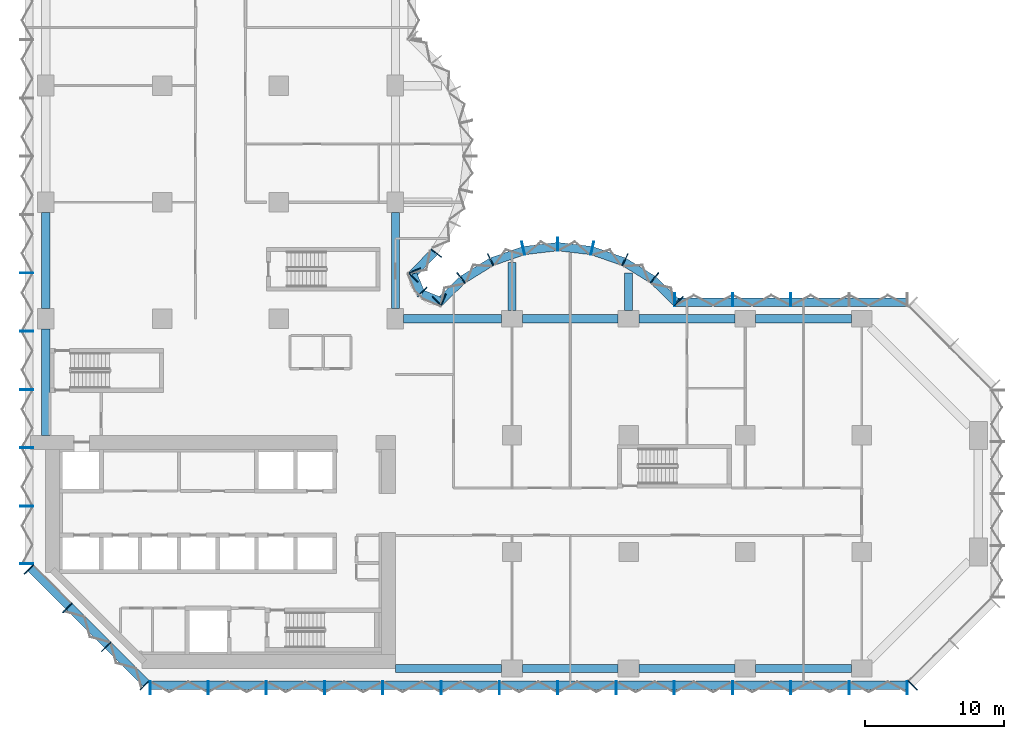
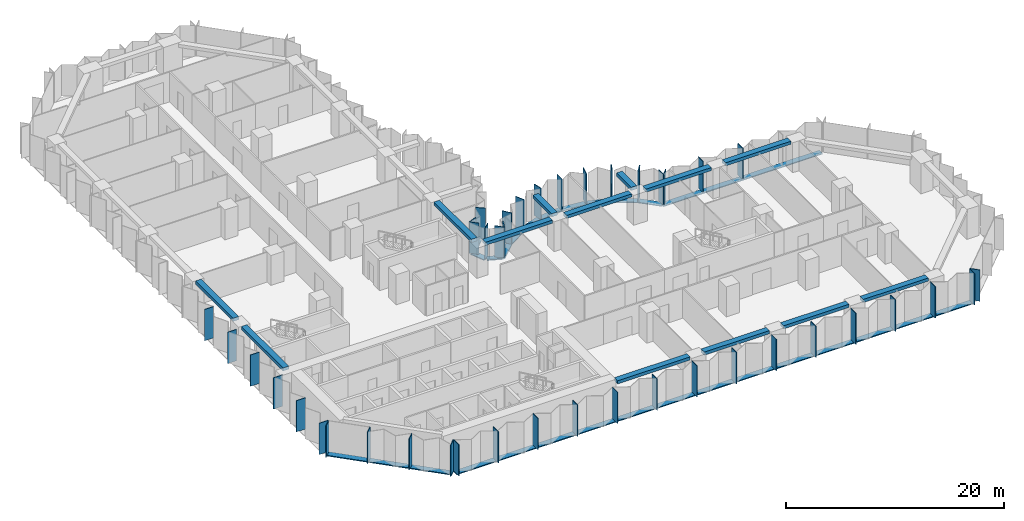
# One storey, part 2 of 15: 56 members, 13 beams, 8 elements without a shape of their own.
"""IFC4 building model written with IfcOpenShell, lengths in metres."""

from ifc_helpers import new_model, si_unit, direction, frame, origin, origin_2d, place, context, subcontext, project, spatial, rectangle, extrude, material, material_profile, profile_set, type_object, element, aggregate, save


model = new_model("IFC4")

# Units and contexts
model_context = context("Model", 3, precision=1e-05, world=origin(), true_north=direction((0.0, 1.0)))
body_context = subcontext(model_context, "Body", "Model", "MODEL_VIEW")
ifc_project = project(units=[si_unit("LENGTHUNIT", "METRE"), si_unit("AREAUNIT", "SQUARE_METRE"), si_unit("VOLUMEUNIT", "CUBIC_METRE"), si_unit("PLANEANGLEUNIT", "RADIAN"), si_unit("MASSUNIT", "GRAM", prefix="KILO")], contexts=[model_context])

# Site, building, storey
site_placement = place(None, origin())
site = spatial("IfcSite", under=ifc_project, at=site_placement, CompositionType="ELEMENT")
building_placement = place(site_placement, origin())
building = spatial("IfcBuilding", under=site, at=building_placement, Name="Brevane Broadcast Tower", CompositionType="ELEMENT")
storey_placement = place(building_placement, frame((0.0, 0.0, 76.10009765625)))
storey = spatial("IfcBuildingStorey", under=building, at=storey_placement, Name="L17", CompositionType="ELEMENT", Elevation=76.10009765625)

# Curtain wall, members
ifc_material_1 = material(Name="Aluminium 6063-T6 bronze anodised", Category="aluminium")
curtain_wall_type = type_object("IfcCurtainWallType", Name="CW-1 curtain wall", PredefinedType="NOTDEFINED", material=ifc_material_1)
curtain_wall_1_placement = place(storey_placement, origin())
curtain_wall_1 = element("IfcCurtainWall", 1, at=curtain_wall_1_placement, inside=storey, type_object=curtain_wall_type, Name="CW-1 typical tilted unit L17 south face", PredefinedType="NOTDEFINED")
ifc_material_profile_1 = material_profile(ifc_material_1, rectangle(XDim=0.949951171875, YDim=0.070068359375, at=origin_2d()), Name="RECT 70x950")
ifc_profile_set_1 = profile_set([ifc_material_profile_1], Name="Aluminium 6063-T6 bronze anodised")
member_type_1 = type_object("IfcMemberType", Name="CW-1 mullion 70x950", PredefinedType="MULLION", material=ifc_profile_set_1)
member_1_placement = place(storey_placement, frame((7.534912109375, -1.375, -0.150146484375), z_axis=(0.0, 0.0, 1.0), x_axis=(0.0, 1.0, 0.0)))
member_1 = element("IfcMember", 2, at=member_1_placement, type_object=member_type_1, Name="CW-1 mullion", PredefinedType="MULLION", context=body_context, shape_type="SweptSolid", body=[
    extrude(rectangle(XDim=0.949951171875, YDim=0.070068359375, at=origin_2d()), origin(), (0.0, 0.0, 1.0), 3.5),
])
member_2_placement = place(storey_placement, frame((11.699951171875, -1.375, -0.150146484375), z_axis=(0.0, 0.0, 1.0), x_axis=(0.0, 1.0, 0.0)))
member_2 = element("IfcMember", 3, at=member_2_placement, type_object=member_type_1, Name="CW-1 mullion", PredefinedType="MULLION", context=body_context, shape_type="SweptSolid", body=[
    extrude(rectangle(XDim=0.949951171875, YDim=0.070068359375, at=origin_2d()), origin(), (0.0, 0.0, 1.0), 3.5),
])
member_3_placement = place(storey_placement, frame((15.89990234375, -1.375, -0.150146484375), z_axis=(0.0, 0.0, 1.0), x_axis=(0.0, 1.0, 0.0)))
member_3 = element("IfcMember", 4, at=member_3_placement, type_object=member_type_1, Name="CW-1 mullion", PredefinedType="MULLION", context=body_context, shape_type="SweptSolid", body=[
    extrude(rectangle(XDim=0.949951171875, YDim=0.070068359375, at=origin_2d()), origin(), (0.0, 0.0, 1.0), 3.5),
])
member_4_placement = place(storey_placement, frame((20.10009765625, -1.375, -0.150146484375), z_axis=(0.0, 0.0, 1.0), x_axis=(0.0, 1.0, 0.0)))
member_4 = element("IfcMember", 5, at=member_4_placement, type_object=member_type_1, Name="CW-1 mullion", PredefinedType="MULLION", context=body_context, shape_type="SweptSolid", body=[
    extrude(rectangle(XDim=0.949951171875, YDim=0.070068359375, at=origin_2d()), origin(), (0.0, 0.0, 1.0), 3.5),
])
member_5_placement = place(storey_placement, frame((24.300048828125, -1.375, -0.150146484375), z_axis=(0.0, 0.0, 1.0), x_axis=(0.0, 1.0, 0.0)))
member_5 = element("IfcMember", 6, at=member_5_placement, type_object=member_type_1, Name="CW-1 mullion", PredefinedType="MULLION", context=body_context, shape_type="SweptSolid", body=[
    extrude(rectangle(XDim=0.949951171875, YDim=0.070068359375, at=origin_2d()), origin(), (0.0, 0.0, 1.0), 3.5),
])
member_6_placement = place(storey_placement, frame((28.5, -1.375, -0.150146484375), z_axis=(0.0, 0.0, 1.0), x_axis=(0.0, 1.0, 0.0)))
member_6 = element("IfcMember", 7, at=member_6_placement, type_object=member_type_1, Name="CW-1 mullion", PredefinedType="MULLION", context=body_context, shape_type="SweptSolid", body=[
    extrude(rectangle(XDim=0.949951171875, YDim=0.070068359375, at=origin_2d()), origin(), (0.0, 0.0, 1.0), 3.5),
])
member_7_placement = place(storey_placement, frame((32.699951171875, -1.375, -0.150146484375), z_axis=(0.0, 0.0, 1.0), x_axis=(0.0, 1.0, 0.0)))
member_7 = element("IfcMember", 8, at=member_7_placement, type_object=member_type_1, Name="CW-1 mullion", PredefinedType="MULLION", context=body_context, shape_type="SweptSolid", body=[
    extrude(rectangle(XDim=0.949951171875, YDim=0.070068359375, at=origin_2d()), origin(), (0.0, 0.0, 1.0), 3.5),
])
member_8_placement = place(storey_placement, frame((36.89990234375, -1.375, -0.150146484375), z_axis=(0.0, 0.0, 1.0), x_axis=(0.0, 1.0, 0.0)))
member_8 = element("IfcMember", 9, at=member_8_placement, type_object=member_type_1, Name="CW-1 mullion", PredefinedType="MULLION", context=body_context, shape_type="SweptSolid", body=[
    extrude(rectangle(XDim=0.949951171875, YDim=0.070068359375, at=origin_2d()), origin(), (0.0, 0.0, 1.0), 3.5),
])
member_9_placement = place(storey_placement, frame((41.10009765625, -1.375, -0.150146484375), z_axis=(0.0, 0.0, 1.0), x_axis=(0.0, 1.0, 0.0)))
member_9 = element("IfcMember", 10, at=member_9_placement, type_object=member_type_1, Name="CW-1 mullion", PredefinedType="MULLION", context=body_context, shape_type="SweptSolid", body=[
    extrude(rectangle(XDim=0.949951171875, YDim=0.070068359375, at=origin_2d()), origin(), (0.0, 0.0, 1.0), 3.5),
])
member_10_placement = place(storey_placement, frame((45.300048828125, -1.375, -0.150146484375), z_axis=(0.0, 0.0, 1.0), x_axis=(0.0, 1.0, 0.0)))
member_10 = element("IfcMember", 11, at=member_10_placement, type_object=member_type_1, Name="CW-1 mullion", PredefinedType="MULLION", context=body_context, shape_type="SweptSolid", body=[
    extrude(rectangle(XDim=0.949951171875, YDim=0.070068359375, at=origin_2d()), origin(), (0.0, 0.0, 1.0), 3.5),
])
member_11_placement = place(storey_placement, frame((49.5, -1.375, -0.150146484375), z_axis=(0.0, 0.0, 1.0), x_axis=(0.0, 1.0, 0.0)))
member_11 = element("IfcMember", 12, at=member_11_placement, type_object=member_type_1, Name="CW-1 mullion", PredefinedType="MULLION", context=body_context, shape_type="SweptSolid", body=[
    extrude(rectangle(XDim=0.949951171875, YDim=0.070068359375, at=origin_2d()), origin(), (0.0, 0.0, 1.0), 3.5),
])
member_12_placement = place(storey_placement, frame((53.699951171875, -1.375, -0.150146484375), z_axis=(0.0, 0.0, 1.0), x_axis=(0.0, 1.0, 0.0)))
member_12 = element("IfcMember", 13, at=member_12_placement, type_object=member_type_1, Name="CW-1 mullion", PredefinedType="MULLION", context=body_context, shape_type="SweptSolid", body=[
    extrude(rectangle(XDim=0.949951171875, YDim=0.070068359375, at=origin_2d()), origin(), (0.0, 0.0, 1.0), 3.5),
])
member_13_placement = place(storey_placement, frame((57.89990234375, -1.375, -0.150146484375), z_axis=(0.0, 0.0, 1.0), x_axis=(0.0, 1.0, 0.0)))
member_13 = element("IfcMember", 14, at=member_13_placement, type_object=member_type_1, Name="CW-1 mullion", PredefinedType="MULLION", context=body_context, shape_type="SweptSolid", body=[
    extrude(rectangle(XDim=0.949951171875, YDim=0.070068359375, at=origin_2d()), origin(), (0.0, 0.0, 1.0), 3.5),
])
member_14_placement = place(storey_placement, frame((62.06494140625, -1.375, -0.150146484375), z_axis=(0.0, 0.0, 1.0), x_axis=(0.0, 1.0, 0.0)))
member_14 = element("IfcMember", 15, at=member_14_placement, type_object=member_type_1, Name="CW-1 mullion", PredefinedType="MULLION", context=body_context, shape_type="SweptSolid", body=[
    extrude(rectangle(XDim=0.949951171875, YDim=0.070068359375, at=origin_2d()), origin(), (0.0, 0.0, 1.0), 3.5),
])

# Curtain wall, member
curtain_wall_2_placement = place(storey_placement, origin())
curtain_wall_2 = element("IfcCurtainWall", 16, at=curtain_wall_2_placement, inside=storey, type_object=curtain_wall_type, Name="CW-1 typical tilted unit L17 south-east chamfer", PredefinedType="NOTDEFINED")
member_15_placement = place(storey_placement, frame((62.460693359375, -1.211181640625, -0.150146484375), z_axis=(0.0, 0.0, 1.0), x_axis=(-0.707106781187, 0.707106781187, 0.0)))
member_15 = element("IfcMember", 17, at=member_15_placement, type_object=member_type_1, Name="CW-1 mullion", PredefinedType="MULLION", context=body_context, shape_type="SweptSolid", body=[
    extrude(rectangle(XDim=0.949951171875, YDim=0.070068359375, at=origin_2d()), origin(), (0.0, 0.0, 1.0), 3.5),
])
aggregate(curtain_wall_2, [member_15])

# Curtain wall, members
curtain_wall_3_placement = place(storey_placement, origin())
curtain_wall_3 = element("IfcCurtainWall", 18, at=curtain_wall_3_placement, inside=storey, type_object=curtain_wall_type, Name="CW-1 typical tilted unit L17 east arm north face", PredefinedType="NOTDEFINED")
member_16_placement = place(storey_placement, frame((53.699951171875, 26.574951171875, -0.150146484375), z_axis=(0.0, 0.0, 1.0), x_axis=(0.0, -1.0, 0.0)))
member_16 = element("IfcMember", 19, at=member_16_placement, type_object=member_type_1, Name="CW-1 mullion", PredefinedType="MULLION", context=body_context, shape_type="SweptSolid", body=[
    extrude(rectangle(XDim=0.949951171875, YDim=0.070068359375, at=origin_2d()), origin(), (0.0, 0.0, 1.0), 3.5),
])
member_17_placement = place(storey_placement, frame((49.5, 26.574951171875, -0.150146484375), z_axis=(0.0, 0.0, 1.0), x_axis=(0.0, -1.0, 0.0)))
member_17 = element("IfcMember", 20, at=member_17_placement, type_object=member_type_1, Name="CW-1 mullion", PredefinedType="MULLION", context=body_context, shape_type="SweptSolid", body=[
    extrude(rectangle(XDim=0.949951171875, YDim=0.070068359375, at=origin_2d()), origin(), (0.0, 0.0, 1.0), 3.5),
])
member_18_placement = place(storey_placement, frame((45.3349609375, 26.574951171875, -0.150146484375), z_axis=(0.0, 0.0, 1.0), x_axis=(0.0, -1.0, 0.0)))
member_18 = element("IfcMember", 21, at=member_18_placement, type_object=member_type_1, Name="CW-1 mullion", PredefinedType="MULLION", context=body_context, shape_type="SweptSolid", body=[
    extrude(rectangle(XDim=0.949951171875, YDim=0.070068359375, at=origin_2d()), origin(), (0.0, 0.0, 1.0), 3.5),
])

curtain_wall_4_placement = place(storey_placement, origin())
curtain_wall_4 = element("IfcCurtainWall", 22, at=curtain_wall_4_placement, inside=storey, type_object=curtain_wall_type, Name="CW-1 typical tilted unit L17 east bow", PredefinedType="NOTDEFINED")
member_19_placement = place(storey_placement, frame((45.60595703125, 26.465087890625, -0.150146484375), z_axis=(0.0, 0.0, 1.0), x_axis=(-0.696811941702, -0.717253872699, 0.0)))
member_19 = element("IfcMember", 23, at=member_19_placement, type_object=member_type_1, Name="CW-1 mullion", PredefinedType="MULLION", context=body_context, shape_type="SweptSolid", body=[
    extrude(rectangle(XDim=0.949951171875, YDim=0.070068359375, at=origin_2d()), origin(), (0.0, 0.0, 1.0), 3.5),
])
member_20_placement = place(storey_placement, frame((43.8720703125, 28.1455078125, -0.150146484375), z_axis=(0.0, 0.0, 1.0), x_axis=(-0.614769738617, -0.788706642853, 0.0)))
member_20 = element("IfcMember", 24, at=member_20_placement, type_object=member_type_1, Name="CW-1 mullion", PredefinedType="MULLION", context=body_context, shape_type="SweptSolid", body=[
    extrude(rectangle(XDim=0.949951171875, YDim=0.070068359375, at=origin_2d()), origin(), (0.0, 0.0, 1.0), 3.5),
])
member_21_placement = place(storey_placement, frame((41.746826171875, 29.4580078125, -0.150146484375), z_axis=(0.0, 0.0, 1.0), x_axis=(-0.429933601163, -0.902860508933, 0.0)))
member_21 = element("IfcMember", 25, at=member_21_placement, type_object=member_type_1, Name="CW-1 mullion", PredefinedType="MULLION", context=body_context, shape_type="SweptSolid", body=[
    extrude(rectangle(XDim=0.949951171875, YDim=0.070068359375, at=origin_2d()), origin(), (0.0, 0.0, 1.0), 3.5),
])
member_22_placement = place(storey_placement, frame((39.38818359375, 30.28076171875, -0.150146484375), z_axis=(0.0, 0.0, 1.0), x_axis=(-0.224806482215, -0.974403430594, 0.0)))
member_22 = element("IfcMember", 26, at=member_22_placement, type_object=member_type_1, Name="CW-1 mullion", PredefinedType="MULLION", context=body_context, shape_type="SweptSolid", body=[
    extrude(rectangle(XDim=0.949951171875, YDim=0.070068359375, at=origin_2d()), origin(), (0.0, 0.0, 1.0), 3.5),
])
member_23_placement = place(storey_placement, frame((36.89990234375, 30.574951171875, -0.150146484375), z_axis=(0.0, 0.0, 1.0), x_axis=(0.0, -1.0, 0.0)))
member_23 = element("IfcMember", 27, at=member_23_placement, type_object=member_type_1, Name="CW-1 mullion", PredefinedType="MULLION", context=body_context, shape_type="SweptSolid", body=[
    extrude(rectangle(XDim=0.949951171875, YDim=0.070068359375, at=origin_2d()), origin(), (0.0, 0.0, 1.0), 3.5),
])
member_24_placement = place(storey_placement, frame((34.411865234375, 30.28076171875, -0.150146484375), z_axis=(0.0, 0.0, 1.0), x_axis=(0.224806482215, -0.974403430594, 0.0)))
member_24 = element("IfcMember", 28, at=member_24_placement, type_object=member_type_1, Name="CW-1 mullion", PredefinedType="MULLION", context=body_context, shape_type="SweptSolid", body=[
    extrude(rectangle(XDim=0.949951171875, YDim=0.070068359375, at=origin_2d()), origin(), (0.0, 0.0, 1.0), 3.5),
])
member_25_placement = place(storey_placement, frame((32.05322265625, 29.4580078125, -0.150146484375), z_axis=(0.0, 0.0, 1.0), x_axis=(0.429933601163, -0.902860508933, 0.0)))
member_25 = element("IfcMember", 29, at=member_25_placement, type_object=member_type_1, Name="CW-1 mullion", PredefinedType="MULLION", context=body_context, shape_type="SweptSolid", body=[
    extrude(rectangle(XDim=0.949951171875, YDim=0.070068359375, at=origin_2d()), origin(), (0.0, 0.0, 1.0), 3.5),
])
member_26_placement = place(storey_placement, frame((29.927978515625, 28.1455078125, -0.150146484375), z_axis=(0.0, 0.0, 1.0), x_axis=(0.614769738617, -0.788706642853, 0.0)))
member_26 = element("IfcMember", 30, at=member_26_placement, type_object=member_type_1, Name="CW-1 mullion", PredefinedType="MULLION", context=body_context, shape_type="SweptSolid", body=[
    extrude(rectangle(XDim=0.949951171875, YDim=0.070068359375, at=origin_2d()), origin(), (0.0, 0.0, 1.0), 3.5),
])
member_27_placement = place(storey_placement, frame((28.194091796875, 26.465087890625, -0.150146484375), z_axis=(0.0, 0.0, 1.0), x_axis=(0.696811941702, -0.717253872699, 0.0)))
member_27 = element("IfcMember", 31, at=member_27_placement, type_object=member_type_1, Name="CW-1 mullion", PredefinedType="MULLION", context=body_context, shape_type="SweptSolid", body=[
    extrude(rectangle(XDim=0.949951171875, YDim=0.070068359375, at=origin_2d()), origin(), (0.0, 0.0, 1.0), 3.5),
])

curtain_wall_5_placement = place(storey_placement, origin())
curtain_wall_5 = element("IfcCurtainWall", 32, at=curtain_wall_5_placement, inside=storey, type_object=curtain_wall_type, Name="CW-1 typical tilted unit L17 inner corner", PredefinedType="NOTDEFINED")
member_28_placement = place(storey_placement, frame((28.6494140625, 26.55224609375, -0.150146484375), z_axis=(0.0, 0.0, 1.0), x_axis=(-0.382683612978, -0.923879457699, 0.0)))
member_28 = element("IfcMember", 33, at=member_28_placement, type_object=member_type_1, Name="CW-1 mullion", PredefinedType="MULLION", context=body_context, shape_type="SweptSolid", body=[
    extrude(rectangle(XDim=0.949951171875, YDim=0.070068359375, at=origin_2d()), origin(), (0.0, 0.0, 1.0), 3.5),
])
member_29_placement = place(storey_placement, frame((27.138916015625, 27.138916015625, -0.150146484375), z_axis=(0.0, 0.0, 1.0), x_axis=(-0.707106781187, -0.707106781187, 0.0)))
member_29 = element("IfcMember", 34, at=member_29_placement, type_object=member_type_1, Name="CW-1 mullion", PredefinedType="MULLION", context=body_context, shape_type="SweptSolid", body=[
    extrude(rectangle(XDim=0.949951171875, YDim=0.070068359375, at=origin_2d()), origin(), (0.0, 0.0, 1.0), 3.5),
])
member_30_placement = place(storey_placement, frame((26.55224609375, 28.6494140625, -0.150146484375), z_axis=(0.0, 0.0, 1.0), x_axis=(-0.923879457699, -0.382683612978, 0.0)))
member_30 = element("IfcMember", 35, at=member_30_placement, type_object=member_type_1, Name="CW-1 mullion", PredefinedType="MULLION", context=body_context, shape_type="SweptSolid", body=[
    extrude(rectangle(XDim=0.949951171875, YDim=0.070068359375, at=origin_2d()), origin(), (0.0, 0.0, 1.0), 3.5),
])

curtain_wall_6_placement = place(storey_placement, origin())
curtain_wall_6 = element("IfcCurtainWall", 36, at=curtain_wall_6_placement, inside=storey, type_object=curtain_wall_type, Name="CW-1 typical tilted unit L17 north bow", PredefinedType="NOTDEFINED")
member_31_placement = place(storey_placement, frame((26.465087890625, 28.194091796875, -0.150146484375), z_axis=(0.0, 0.0, 1.0), x_axis=(-0.717253872699, 0.696811941702, 0.0)))
member_31 = element("IfcMember", 37, at=member_31_placement, type_object=member_type_1, Name="CW-1 mullion", PredefinedType="MULLION", context=body_context, shape_type="SweptSolid", body=[
    extrude(rectangle(XDim=0.949951171875, YDim=0.070068359375, at=origin_2d()), origin(), (0.0, 0.0, 1.0), 3.5),
])
member_32_placement = place(storey_placement, frame((28.1455078125, 29.927978515625, -0.150146484375), z_axis=(0.0, 0.0, 1.0), x_axis=(-0.788706642853, 0.614769738617, 0.0)))
member_32 = element("IfcMember", 38, at=member_32_placement, type_object=member_type_1, Name="CW-1 mullion", PredefinedType="MULLION", context=body_context, shape_type="SweptSolid", body=[
    extrude(rectangle(XDim=0.949951171875, YDim=0.070068359375, at=origin_2d()), origin(), (0.0, 0.0, 1.0), 3.5),
])

curtain_wall_7_placement = place(storey_placement, origin())
curtain_wall_7 = element("IfcCurtainWall", 39, at=curtain_wall_7_placement, inside=storey, type_object=curtain_wall_type, Name="CW-1 typical tilted unit L17 west face", PredefinedType="NOTDEFINED")
member_33_placement = place(storey_placement, frame((-1.375, 28.5, -0.150146484375), z_axis=(0.0, 0.0, 1.0), x_axis=(1.0, 0.0, 0.0)))
member_33 = element("IfcMember", 40, at=member_33_placement, type_object=member_type_1, Name="CW-1 mullion", PredefinedType="MULLION", context=body_context, shape_type="SweptSolid", body=[
    extrude(rectangle(XDim=0.949951171875, YDim=0.070068359375, at=origin_2d()), origin(), (0.0, 0.0, 1.0), 3.5),
])
member_34_placement = place(storey_placement, frame((-1.375, 24.300048828125, -0.150146484375), z_axis=(0.0, 0.0, 1.0), x_axis=(1.0, 0.0, 0.0)))
member_34 = element("IfcMember", 41, at=member_34_placement, type_object=member_type_1, Name="CW-1 mullion", PredefinedType="MULLION", context=body_context, shape_type="SweptSolid", body=[
    extrude(rectangle(XDim=0.949951171875, YDim=0.070068359375, at=origin_2d()), origin(), (0.0, 0.0, 1.0), 3.5),
])
member_35_placement = place(storey_placement, frame((-1.375, 20.10009765625, -0.150146484375), z_axis=(0.0, 0.0, 1.0), x_axis=(1.0, 0.0, 0.0)))
member_35 = element("IfcMember", 42, at=member_35_placement, type_object=member_type_1, Name="CW-1 mullion", PredefinedType="MULLION", context=body_context, shape_type="SweptSolid", body=[
    extrude(rectangle(XDim=0.949951171875, YDim=0.070068359375, at=origin_2d()), origin(), (0.0, 0.0, 1.0), 3.5),
])
member_36_placement = place(storey_placement, frame((-1.375, 15.89990234375, -0.150146484375), z_axis=(0.0, 0.0, 1.0), x_axis=(1.0, 0.0, 0.0)))
member_36 = element("IfcMember", 43, at=member_36_placement, type_object=member_type_1, Name="CW-1 mullion", PredefinedType="MULLION", context=body_context, shape_type="SweptSolid", body=[
    extrude(rectangle(XDim=0.949951171875, YDim=0.070068359375, at=origin_2d()), origin(), (0.0, 0.0, 1.0), 3.5),
])
member_37_placement = place(storey_placement, frame((-1.375, 11.699951171875, -0.150146484375), z_axis=(0.0, 0.0, 1.0), x_axis=(1.0, 0.0, 0.0)))
member_37 = element("IfcMember", 44, at=member_37_placement, type_object=member_type_1, Name="CW-1 mullion", PredefinedType="MULLION", context=body_context, shape_type="SweptSolid", body=[
    extrude(rectangle(XDim=0.949951171875, YDim=0.070068359375, at=origin_2d()), origin(), (0.0, 0.0, 1.0), 3.5),
])
member_38_placement = place(storey_placement, frame((-1.375, 7.534912109375, -0.150146484375), z_axis=(0.0, 0.0, 1.0), x_axis=(1.0, 0.0, 0.0)))
member_38 = element("IfcMember", 45, at=member_38_placement, type_object=member_type_1, Name="CW-1 mullion", PredefinedType="MULLION", context=body_context, shape_type="SweptSolid", body=[
    extrude(rectangle(XDim=0.949951171875, YDim=0.070068359375, at=origin_2d()), origin(), (0.0, 0.0, 1.0), 3.5),
])
aggregate(curtain_wall_7, [member_33, member_34, member_35, member_36, member_37, member_38])

curtain_wall_8_placement = place(storey_placement, origin())
curtain_wall_8 = element("IfcCurtainWall", 46, at=curtain_wall_8_placement, inside=storey, type_object=curtain_wall_type, Name="CW-1 typical tilted unit L17 south-west chamfer", PredefinedType="NOTDEFINED")
member_39_placement = place(storey_placement, frame((-1.211181640625, 7.139404296875, -0.150146484375), z_axis=(0.0, 0.0, 1.0), x_axis=(0.707106781187, 0.707106781187, 0.0)))
member_39 = element("IfcMember", 47, at=member_39_placement, type_object=member_type_1, Name="CW-1 mullion", PredefinedType="MULLION", context=body_context, shape_type="SweptSolid", body=[
    extrude(rectangle(XDim=0.949951171875, YDim=0.070068359375, at=origin_2d()), origin(), (0.0, 0.0, 1.0), 3.5),
])
member_40_placement = place(storey_placement, frame((1.564208984375, 4.364013671875, -0.150146484375), z_axis=(0.0, 0.0, 1.0), x_axis=(0.707106781187, 0.707106781187, 0.0)))
member_40 = element("IfcMember", 48, at=member_40_placement, type_object=member_type_1, Name="CW-1 mullion", PredefinedType="MULLION", context=body_context, shape_type="SweptSolid", body=[
    extrude(rectangle(XDim=0.949951171875, YDim=0.070068359375, at=origin_2d()), origin(), (0.0, 0.0, 1.0), 3.5),
])
member_41_placement = place(storey_placement, frame((4.364013671875, 1.564208984375, -0.150146484375), z_axis=(0.0, 0.0, 1.0), x_axis=(0.707106781187, 0.707106781187, 0.0)))
member_41 = element("IfcMember", 49, at=member_41_placement, type_object=member_type_1, Name="CW-1 mullion", PredefinedType="MULLION", context=body_context, shape_type="SweptSolid", body=[
    extrude(rectangle(XDim=0.949951171875, YDim=0.070068359375, at=origin_2d()), origin(), (0.0, 0.0, 1.0), 3.5),
])
member_42_placement = place(storey_placement, frame((7.139404296875, -1.211181640625, -0.150146484375), z_axis=(0.0, 0.0, 1.0), x_axis=(0.707106781187, 0.707106781187, 0.0)))
member_42 = element("IfcMember", 50, at=member_42_placement, type_object=member_type_1, Name="CW-1 mullion", PredefinedType="MULLION", context=body_context, shape_type="SweptSolid", body=[
    extrude(rectangle(XDim=0.949951171875, YDim=0.070068359375, at=origin_2d()), origin(), (0.0, 0.0, 1.0), 3.5),
])

# Member
ifc_material_profile_2 = material_profile(ifc_material_1, rectangle(XDim=0.60009765625, YDim=0.10009765625, at=origin_2d()), Name="RECT 100x600")
ifc_profile_set_2 = profile_set([ifc_material_profile_2], Name="Aluminium 6063-T6 bronze anodised")
member_type_2 = type_object("IfcMemberType", Name="CW-1 transom 100x600", PredefinedType="USERDEFINED", material=ifc_profile_set_2)
member_43_placement = place(storey_placement, frame((7.5, -1.199951171875, -0.2001953125), z_axis=(1.0, 0.0, 0.0), x_axis=(0.0, 1.0, 0.0)))
member_43 = element("IfcMember", 51, at=member_43_placement, type_object=member_type_2, Name="CW-1 transom", ObjectType="TRANSOM", PredefinedType="USERDEFINED", context=body_context, shape_type="SweptSolid", body=[
    extrude(rectangle(XDim=0.60009765625, YDim=0.10009765625, at=origin_2d()), origin(), (0.0, 0.0, 1.0), 54.60009765625),
])

aggregate(curtain_wall_1, [member_1, member_2, member_3, member_4, member_5, member_6, member_7, member_8, member_9, member_10, member_11, member_12, member_13, member_14, member_43])

member_44_placement = place(storey_placement, frame((62.10009765625, 26.39990234375, -0.2001953125), z_axis=(-1.0, 0.0, 0.0), x_axis=(0.0, -1.0, 0.0)))
member_44 = element("IfcMember", 52, at=member_44_placement, type_object=member_type_2, Name="CW-1 transom", ObjectType="TRANSOM", PredefinedType="USERDEFINED", context=body_context, shape_type="SweptSolid", body=[
    extrude(rectangle(XDim=0.60009765625, YDim=0.10009765625, at=origin_2d()), origin(), (0.0, 0.0, 1.0), 16.800048828125),
])

aggregate(curtain_wall_3, [member_16, member_17, member_18, member_44])

member_45_placement = place(storey_placement, frame((45.412841796875, 26.407958984375, -0.2001953125), z_axis=(-0.71724215871, 0.696823999134, 0.0), x_axis=(-0.696823999134, -0.71724215871, 0.0)))
member_45 = element("IfcMember", 53, at=member_45_placement, type_object=member_type_2, Name="CW-1 transom", ObjectType="TRANSOM", PredefinedType="USERDEFINED", context=body_context, shape_type="SweptSolid", body=[
    extrude(rectangle(XDim=0.60009765625, YDim=0.10009765625, at=origin_2d()), origin(), (0.0, 0.0, 1.0), 2.247802734375),
])

member_46_placement = place(storey_placement, frame((43.7421875, 28.023193359375, -0.2001953125), z_axis=(-0.850810063131, 0.525473345162, 0.0), x_axis=(-0.525473345162, -0.850810063131, 0.0)))
member_46 = element("IfcMember", 54, at=member_46_placement, type_object=member_type_2, Name="CW-1 transom", ObjectType="TRANSOM", PredefinedType="USERDEFINED", context=body_context, shape_type="SweptSolid", body=[
    extrude(rectangle(XDim=0.60009765625, YDim=0.10009765625, at=origin_2d()), origin(), (0.0, 0.0, 1.0), 2.39453125),
])

member_47_placement = place(storey_placement, frame((41.63623046875, 29.314208984375, -0.2001953125), z_axis=(-0.944197969542, 0.329378497041, 0.0), x_axis=(-0.329378497041, -0.944197969542, 0.0)))
member_47 = element("IfcMember", 55, at=member_47_placement, type_object=member_type_2, Name="CW-1 transom", ObjectType="TRANSOM", PredefinedType="USERDEFINED", context=body_context, shape_type="SweptSolid", body=[
    extrude(rectangle(XDim=0.60009765625, YDim=0.10009765625, at=origin_2d()), origin(), (0.0, 0.0, 1.0), 2.394775390625),
])

member_48_placement = place(storey_placement, frame((39.30029296875, 30.117431640625, -0.2001953125), z_axis=(-0.993062061831, 0.117591417, 0.0), x_axis=(-0.117591417, -0.993062061831, 0.0)))
member_48 = element("IfcMember", 56, at=member_48_placement, type_object=member_type_2, Name="CW-1 transom", ObjectType="TRANSOM", PredefinedType="USERDEFINED", context=body_context, shape_type="SweptSolid", body=[
    extrude(rectangle(XDim=0.60009765625, YDim=0.10009765625, at=origin_2d()), origin(), (0.0, 0.0, 1.0), 2.39794921875),
])

member_49_placement = place(storey_placement, frame((36.880859375, 30.3994140625, -0.2001953125), z_axis=(-0.993060653805, -0.117603307202, 0.0), x_axis=(0.117603307202, -0.993060653805, 0.0)))
member_49 = element("IfcMember", 57, at=member_49_placement, type_object=member_type_2, Name="CW-1 transom", ObjectType="TRANSOM", PredefinedType="USERDEFINED", context=body_context, shape_type="SweptSolid", body=[
    extrude(rectangle(XDim=0.60009765625, YDim=0.10009765625, at=origin_2d()), origin(), (0.0, 0.0, 1.0), 2.397705078125),
])

member_50_placement = place(storey_placement, frame((34.425048828125, 30.10302734375, -0.2001953125), z_axis=(-0.944197969542, -0.329378497041, 0.0), x_axis=(0.329378497041, -0.944197969542, 0.0)))
member_50 = element("IfcMember", 58, at=member_50_placement, type_object=member_type_2, Name="CW-1 transom", ObjectType="TRANSOM", PredefinedType="USERDEFINED", context=body_context, shape_type="SweptSolid", body=[
    extrude(rectangle(XDim=0.60009765625, YDim=0.10009765625, at=origin_2d()), origin(), (0.0, 0.0, 1.0), 2.394775390625),
])

member_51_placement = place(storey_placement, frame((32.09521484375, 29.281494140625, -0.2001953125), z_axis=(-0.850838211365, -0.525427766759, 0.0), x_axis=(0.525427766759, -0.850838211365, 0.0)))
member_51 = element("IfcMember", 59, at=member_51_placement, type_object=member_type_2, Name="CW-1 transom", ObjectType="TRANSOM", PredefinedType="USERDEFINED", context=body_context, shape_type="SweptSolid", body=[
    extrude(rectangle(XDim=0.60009765625, YDim=0.10009765625, at=origin_2d()), origin(), (0.0, 0.0, 1.0), 2.394775390625),
])

member_52_placement = place(storey_placement, frame((29.99951171875, 27.974365234375, -0.2001953125), z_axis=(-0.71724215871, -0.696823999134, 0.0), x_axis=(0.696823999134, -0.71724215871, 0.0)))
member_52 = element("IfcMember", 60, at=member_52_placement, type_object=member_type_2, Name="CW-1 transom", ObjectType="TRANSOM", PredefinedType="USERDEFINED", context=body_context, shape_type="SweptSolid", body=[
    extrude(rectangle(XDim=0.60009765625, YDim=0.10009765625, at=origin_2d()), origin(), (0.0, 0.0, 1.0), 2.247802734375),
])

aggregate(curtain_wall_4, [member_19, member_20, member_21, member_22, member_23, member_24, member_25, member_26, member_27, member_45, member_46, member_47, member_48, member_49, member_50, member_51, member_52])

member_53_placement = place(storey_placement, frame((28.528076171875, 26.40673828125, -0.2001953125), z_axis=(-0.923883243627, 0.382674472816, 0.0), x_axis=(-0.382674472816, -0.923883243627, 0.0)))
member_53 = element("IfcMember", 61, at=member_53_placement, type_object=member_type_2, Name="CW-1 transom", ObjectType="TRANSOM", PredefinedType="USERDEFINED", context=body_context, shape_type="SweptSolid", body=[
    extrude(rectangle(XDim=0.60009765625, YDim=0.10009765625, at=origin_2d()), origin(), (0.0, 0.0, 1.0), 1.536865234375),
])

member_54_placement = place(storey_placement, frame((27.039794921875, 27.0, -0.2001953125), z_axis=(-0.382674472816, 0.923883243627, 0.0), x_axis=(-0.923883243627, -0.382674472816, 0.0)))
member_54 = element("IfcMember", 62, at=member_54_placement, type_object=member_type_2, Name="CW-1 transom", ObjectType="TRANSOM", PredefinedType="USERDEFINED", context=body_context, shape_type="SweptSolid", body=[
    extrude(rectangle(XDim=0.60009765625, YDim=0.10009765625, at=origin_2d()), origin(), (0.0, 0.0, 1.0), 1.536865234375),
])

aggregate(curtain_wall_5, [member_28, member_29, member_30, member_53, member_54])

member_55_placement = place(storey_placement, frame((26.407958984375, 28.38720703125, -0.2001953125), z_axis=(0.696823999134, 0.71724215871, 0.0), x_axis=(-0.71724215871, 0.696823999134, 0.0)))
member_55 = element("IfcMember", 63, at=member_55_placement, type_object=member_type_2, Name="CW-1 transom", ObjectType="TRANSOM", PredefinedType="USERDEFINED", context=body_context, shape_type="SweptSolid", body=[
    extrude(rectangle(XDim=0.60009765625, YDim=0.10009765625, at=origin_2d()), origin(), (0.0, 0.0, 1.0), 2.247802734375),
])

aggregate(curtain_wall_6, [member_31, member_32, member_55])

member_56_placement = place(storey_placement, frame((-1.112060546875, 7.287841796875, -0.2001953125), z_axis=(0.707106781187, -0.707106781187, 0.0), x_axis=(0.707106781187, 0.707106781187, 0.0)))
member_56 = element("IfcMember", 64, at=member_56_placement, type_object=member_type_2, Name="CW-1 transom", ObjectType="TRANSOM", PredefinedType="USERDEFINED", context=body_context, shape_type="SweptSolid", body=[
    extrude(rectangle(XDim=0.60009765625, YDim=0.10009765625, at=origin_2d()), origin(), (0.0, 0.0, 1.0), 11.879150390625),
])

aggregate(curtain_wall_8, [member_39, member_40, member_41, member_42, member_56])

# Beams
ifc_material_2 = material(Name="Concrete C40/50", Category="concrete")
ifc_material_profile_3 = material_profile(ifc_material_2, rectangle(XDim=0.60009765625, YDim=0.35009765625, at=origin_2d()), Name="RC 600x350")
ifc_profile_set_3 = profile_set([ifc_material_profile_3], Name="Concrete C40/50")
beam_type_1 = type_object("IfcBeamType", Name="RC BRACKET BEAM 600x350 C40/50", PredefinedType="BEAM", material=ifc_profile_set_3)
beam_1_placement = place(storey_placement, frame((33.60009765625, 25.800048828125, 3.1748046875), z_axis=(0.0, 1.0, 0.0), x_axis=(-1.0, 0.0, 0.0)))
element("IfcBeam", 65, at=beam_1_placement, inside=storey, type_object=beam_type_1, Name="EB2 L17-3", PredefinedType="BEAM", context=body_context, shape_type="SweptSolid", body=[
    extrude(rectangle(XDim=0.60009765625, YDim=0.35009765625, at=origin_2d()), origin(), (0.0, 0.0, 1.0), 3.4619140625),
])
beam_2_placement = place(storey_placement, frame((42.0, 25.800048828125, 3.1748046875), z_axis=(0.0, 1.0, 0.0), x_axis=(-1.0, 0.0, 0.0)))
element("IfcBeam", 66, at=beam_2_placement, inside=storey, type_object=beam_type_1, Name="EB2 L17-4", PredefinedType="BEAM", context=body_context, shape_type="SweptSolid", body=[
    extrude(rectangle(XDim=0.60009765625, YDim=0.35009765625, at=origin_2d()), origin(), (0.0, 0.0, 1.0), 2.71142578125),
])
ifc_material_profile_4 = material_profile(ifc_material_2, rectangle(XDim=0.60009765625, YDim=0.35009765625, at=origin_2d()), Name="RC 600x350")
ifc_profile_set_4 = profile_set([ifc_material_profile_4], Name="Concrete C40/50")
beam_type_2 = type_object("IfcBeamType", Name="RC SPANDREL BEAM 600x350 C40/50", PredefinedType="SPANDREL", material=ifc_profile_set_4)
beam_3_placement = place(storey_placement, frame((25.199951171875, 0.0, 3.1748046875), z_axis=(1.0, 0.0, 0.0), x_axis=(0.0, 1.0, 0.0)))
element("IfcBeam", 67, at=beam_3_placement, inside=storey, type_object=beam_type_2, Name="EB1 L17-1", PredefinedType="SPANDREL", context=body_context, shape_type="SweptSolid", body=[
    extrude(rectangle(XDim=0.60009765625, YDim=0.35009765625, at=origin_2d()), origin(), (0.0, 0.0, 1.0), 7.650146484375),
])
for number, where, z_axis, x_axis, name in (
    (68, (34.35009765625, 0.0, 3.1748046875), (1.0, 0.0, 0.0), (0.0, 1.0, 0.0), "EB1 L17-2"),
    (69, (42.75, 0.0, 3.1748046875), (1.0, 0.0, 0.0), (0.0, 1.0, 0.0), "EB1 L17-3"),
):
    element("IfcBeam", number, at=place(storey_placement, frame(where, z_axis=z_axis, x_axis=x_axis)), inside=storey, type_object=beam_type_2, Name=name, PredefinedType="SPANDREL", context=body_context, shape_type="SweptSolid", body=[
        extrude(rectangle(XDim=0.60009765625, YDim=0.35009765625, at=origin_2d()), origin(), (0.0, 0.0, 1.0), 6.89990234375),
    ])
for number, where, z_axis, x_axis, name in (
    (70, (51.14990234375, 0.0, 3.1748046875), (1.0, 0.0, 0.0), (0.0, 1.0, 0.0), "EB1 L17-4"),
    (71, (58.050048828125, 25.199951171875, 3.1748046875), (-1.0, 0.0, 0.0), (0.0, -1.0, 0.0), "EB1 L17-8"),
):
    element("IfcBeam", number, at=place(storey_placement, frame(where, z_axis=z_axis, x_axis=x_axis)), inside=storey, type_object=beam_type_2, Name=name, PredefinedType="SPANDREL", context=body_context, shape_type="SweptSolid", body=[
        extrude(rectangle(XDim=0.60009765625, YDim=0.35009765625, at=origin_2d()), origin(), (0.0, 0.0, 1.0), 6.900146484375),
    ])
for number, where, z_axis, x_axis, name in (
    (72, (49.64990234375, 25.199951171875, 3.1748046875), (-1.0, 0.0, 0.0), (0.0, -1.0, 0.0), "EB1 L17-9"),
    (73, (41.25, 25.199951171875, 3.1748046875), (-1.0, 0.0, 0.0), (0.0, -1.0, 0.0), "EB1 L17-10"),
):
    element("IfcBeam", number, at=place(storey_placement, frame(where, z_axis=z_axis, x_axis=x_axis)), inside=storey, type_object=beam_type_2, Name=name, PredefinedType="SPANDREL", context=body_context, shape_type="SweptSolid", body=[
        extrude(rectangle(XDim=0.60009765625, YDim=0.35009765625, at=origin_2d()), origin(), (0.0, 0.0, 1.0), 6.89990234375),
    ])
beam_4_placement = place(storey_placement, frame((32.85009765625, 25.199951171875, 3.1748046875), z_axis=(-1.0, 0.0, 0.0), x_axis=(0.0, -1.0, 0.0)))
element("IfcBeam", 74, at=beam_4_placement, inside=storey, type_object=beam_type_2, Name="EB1 L17-11", PredefinedType="SPANDREL", context=body_context, shape_type="SweptSolid", body=[
    extrude(rectangle(XDim=0.60009765625, YDim=0.35009765625, at=origin_2d()), origin(), (0.0, 0.0, 1.0), 7.050048828125),
])
for number, where, z_axis, x_axis, name in (
    (75, (25.199951171875, 25.949951171875, 3.1748046875), (0.0, 1.0, 0.0), (-1.0, 0.0, 0.0), "EB1 L17-12"),
    (76, (0.0, 32.85009765625, 3.1748046875), (0.0, -1.0, 0.0), (1.0, 0.0, 0.0), "EB1 L17-22"),
):
    element("IfcBeam", number, at=place(storey_placement, frame(where, z_axis=z_axis, x_axis=x_axis)), inside=storey, type_object=beam_type_2, Name=name, PredefinedType="SPANDREL", context=body_context, shape_type="SweptSolid", body=[
        extrude(rectangle(XDim=0.60009765625, YDim=0.35009765625, at=origin_2d()), origin(), (0.0, 0.0, 1.0), 6.900146484375),
    ])
beam_5_placement = place(storey_placement, frame((0.0, 24.449951171875, 3.1748046875), z_axis=(0.0, -1.0, 0.0), x_axis=(1.0, 0.0, 0.0)))
element("IfcBeam", 77, at=beam_5_placement, inside=storey, type_object=beam_type_2, Name="EB1 L17-23", PredefinedType="SPANDREL", context=body_context, shape_type="SweptSolid", body=[
    extrude(rectangle(XDim=0.60009765625, YDim=0.35009765625, at=origin_2d()), origin(), (0.0, 0.0, 1.0), 7.64990234375),
])

save(model, "model.ifc")
